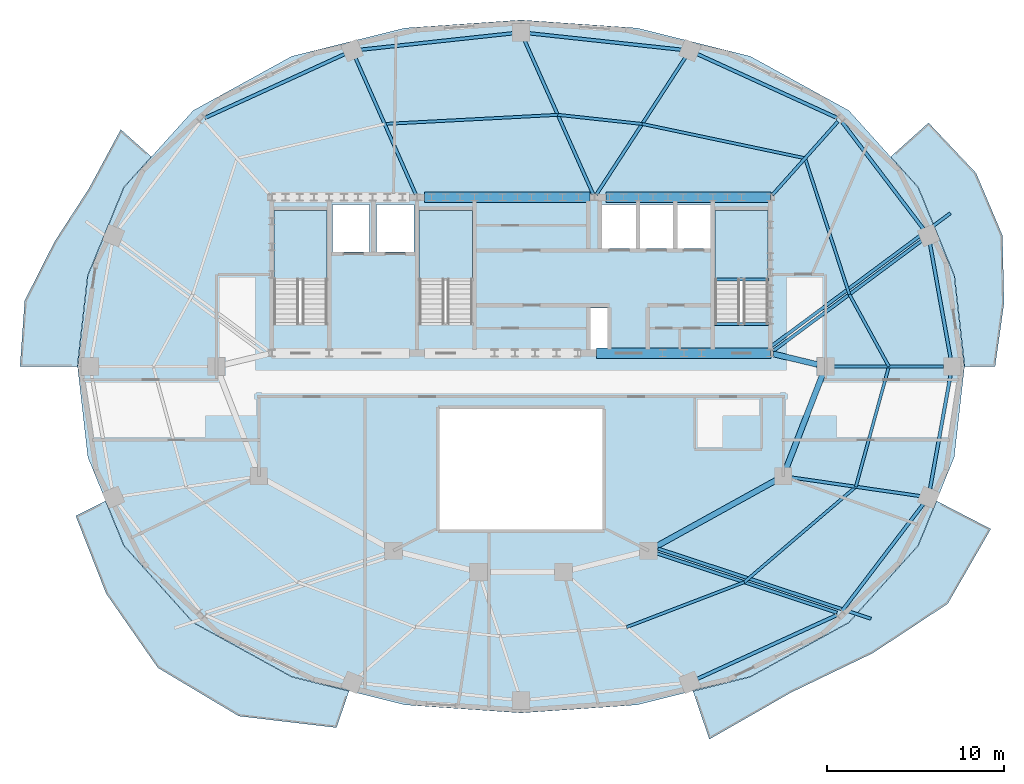
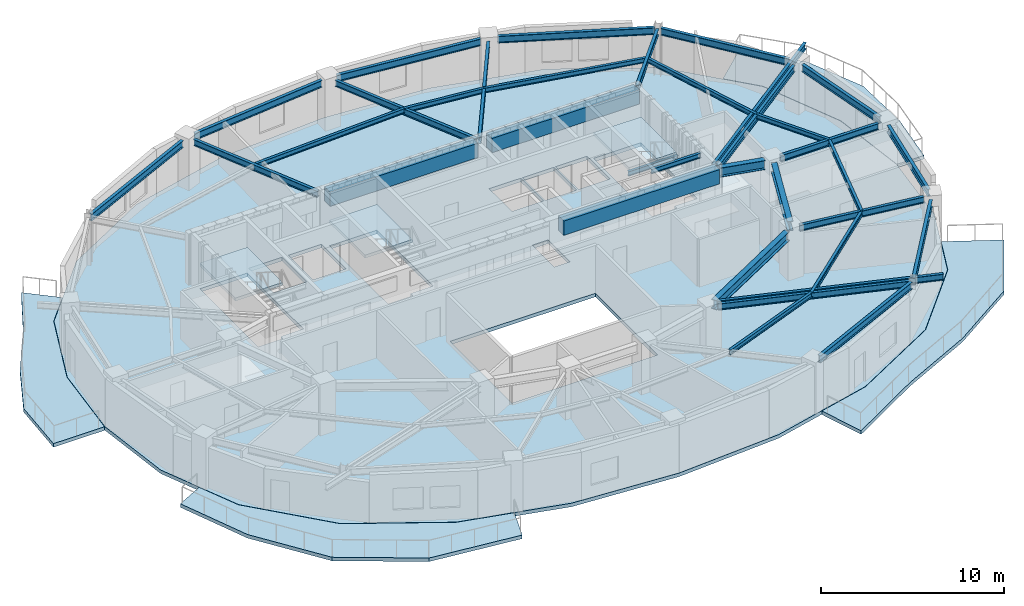
# One storey, part 2 of 10: 35 beams, 8 slabs, 3 elements without a shape of their own.
"""IFC4 building model written with IfcOpenShell, lengths in metres."""

from ifc_helpers import new_model, si_unit, direction, frame, origin, origin_2d, place, context, subcontext, project, spatial, polyline, rectangle, i_section, outline, extrude, material, layer, layer_set, material_profile, profile_set, type_object, element, aggregate, save


model = new_model("IFC4")

# Units and contexts
model_context = context("Model", 3, precision=1e-05, world=origin(), true_north=direction((0.0, 1.0)))
body_context = subcontext(model_context, "Body", "Model", "MODEL_VIEW")
ifc_project = project(units=[si_unit("LENGTHUNIT", "METRE"), si_unit("AREAUNIT", "SQUARE_METRE"), si_unit("VOLUMEUNIT", "CUBIC_METRE"), si_unit("PLANEANGLEUNIT", "RADIAN"), si_unit("MASSUNIT", "GRAM", prefix="KILO")], contexts=[model_context])

# Site, building, storey
site_placement = place(None, origin())
site = spatial("IfcSite", under=ifc_project, at=site_placement, CompositionType="ELEMENT")
building_placement = place(site_placement, origin())
building = spatial("IfcBuilding", under=site, at=building_placement, Name="Haldorwick Loom Tower", CompositionType="ELEMENT")
storey_placement = place(building_placement, frame((0.0, 0.0, 255.75)))
storey = spatial("IfcBuildingStorey", under=building, at=storey_placement, Name="L69", CompositionType="ELEMENT", Elevation=255.75)

# Beams
ifc_material_1 = material(Name="Steel CSA G40.21 350W", Category="steel")
ifc_material_profile_1 = material_profile(ifc_material_1, i_section(OverallWidth=0.179931640625, OverallDepth=0.4130859375, WebThickness=0.009765625, FlangeThickness=0.01611328125, at=origin_2d()), Name="W410X74", Category="steel")
ifc_profile_set_1 = profile_set([ifc_material_profile_1], Name="Steel CSA G40.21 350W")
beam_type_1 = type_object("IfcBeamType", Name="STR-BM-BAL410", PredefinedType="BEAM", material=ifc_profile_set_1)
beam_1_placement = place(storey_placement, frame((43.73876953125, 15.71728515625, 3.00341796875), z_axis=(0.949823383564, -0.312786732512, 0.0), x_axis=(0.312786732512, 0.949823383564, 0.0)))
element("IfcBeam", 1, at=beam_1_placement, inside=storey, type_object=beam_type_1, Name="L69 Continuous Back-Spanned Balcony Beam 1", PredefinedType="BEAM", context=body_context, shape_type="SweptSolid", body=[
    extrude(i_section(OverallWidth=0.179931640625, OverallDepth=0.4130859375, WebThickness=0.009765625, FlangeThickness=0.01611328125, at=origin_2d()), origin(), (0.0, 0.0, 1.0), 12.65087890625),
])
beam_2_placement = place(storey_placement, frame((50.0458984375, 27.080810546875, 3.00341796875), z_axis=(0.802800628814, 0.596247557962, 0.0), x_axis=(-0.596247557962, 0.802800628814, 0.0)))
element("IfcBeam", 2, at=beam_2_placement, inside=storey, type_object=beam_type_1, Name="L69 Continuous Back-Spanned Balcony Beam 4", PredefinedType="BEAM", context=body_context, shape_type="SweptSolid", body=[
    extrude(i_section(OverallWidth=0.179931640625, OverallDepth=0.4130859375, WebThickness=0.009765625, FlangeThickness=0.01611328125, at=origin_2d()), origin(), (0.0, 0.0, 1.0), 12.701416015625),
])
ifc_material_2 = material(Name="Concrete C50 (50 MPa)", Category="concrete")
ifc_material_profile_2 = material_profile(ifc_material_2, rectangle(XDim=0.60009765625, YDim=0.949951171875, at=origin_2d()), Name="RC600X950", Category="concrete")
ifc_profile_set_2 = profile_set([ifc_material_profile_2], Name="Concrete C50 (50 MPa)")
beam_type_2 = type_object("IfcBeamType", Name="STR-BM-CB950", PredefinedType="LINTEL", material=ifc_profile_set_2)
beam_3_placement = place(storey_placement, frame((30.550048828125, 35.550048828125, 2.735107421875), z_axis=(1.0, 0.0, 0.0), x_axis=(0.0, 1.0, 0.0)))
element("IfcBeam", 3, at=beam_3_placement, inside=storey, type_object=beam_type_2, Name="L69 Core Coupling Beam CB-N2", PredefinedType="LINTEL", context=body_context, shape_type="SweptSolid", body=[
    extrude(rectangle(XDim=0.60009765625, YDim=0.949951171875, at=origin_2d()), origin(), (0.0, 0.0, 1.0), 9.349853515625),
])
beam_4_placement = place(storey_placement, frame((40.800048828125, 35.550048828125, 2.735107421875), z_axis=(1.0, 0.0, 0.0), x_axis=(0.0, 1.0, 0.0)))
element("IfcBeam", 4, at=beam_4_placement, inside=storey, type_object=beam_type_2, Name="L69 Core Coupling Beam CB-N3", PredefinedType="LINTEL", context=body_context, shape_type="SweptSolid", body=[
    extrude(rectangle(XDim=0.60009765625, YDim=0.949951171875, at=origin_2d()), origin(), (0.0, 0.0, 1.0), 9.300048828125),
])
beam_5_placement = place(storey_placement, frame((40.25, 26.75, 2.735107421875), z_axis=(1.0, 0.0, 0.0), x_axis=(0.0, 1.0, 0.0)))
element("IfcBeam", 5, at=beam_5_placement, inside=storey, type_object=beam_type_2, Name="L69 Core Coupling Beam CB-S3", PredefinedType="LINTEL", context=body_context, shape_type="SweptSolid", body=[
    extrude(rectangle(XDim=0.60009765625, YDim=0.949951171875, at=origin_2d()), origin(), (0.0, 0.0, 1.0), 9.85009765625),
])
ifc_material_profile_3 = material_profile(ifc_material_1, i_section(OverallWidth=0.166015625, OverallDepth=0.31298828125, WebThickness=0.006591796875, FlangeThickness=0.01123046875, at=origin_2d()), Name="W310X45", Category="steel")
ifc_profile_set_3 = profile_set([ifc_material_profile_3], Name="Steel CSA G40.21 350W")
beam_type_3 = type_object("IfcBeamType", Name="STR-BM-J310", PredefinedType="JOIST", material=ifc_profile_set_3)
beam_6_placement = place(storey_placement, frame((56.768310546875, 26.0, 3.053466796875), z_axis=(-0.480863931781, 0.876795232145, 0.0), x_axis=(-0.876795232145, -0.480863931781, 0.0)))
element("IfcBeam", 6, at=beam_6_placement, inside=storey, type_object=beam_type_3, Name="L69 Mid-Bay Secondary Joist 1", PredefinedType="JOIST", context=body_context, shape_type="SweptSolid", body=[
    extrude(i_section(OverallWidth=0.166015625, OverallDepth=0.31298828125, WebThickness=0.006591796875, FlangeThickness=0.01123046875, at=origin_2d()), origin(), (0.0, 0.0, 1.0), 4.639404296875),
])
beam_7_placement = place(storey_placement, frame((54.537353515625, 30.06787109375, 3.053466796875), z_axis=(-0.309277990337, 0.95097167397, 0.0), x_axis=(-0.95097167397, -0.309277990337, 0.0)))
element("IfcBeam", 7, at=beam_7_placement, inside=storey, type_object=beam_type_3, Name="L69 Mid-Bay Secondary Joist 2", PredefinedType="JOIST", context=body_context, shape_type="SweptSolid", body=[
    extrude(i_section(OverallWidth=0.166015625, OverallDepth=0.31298828125, WebThickness=0.006591796875, FlangeThickness=0.01123046875, at=origin_2d()), origin(), (0.0, 0.0, 1.0), 8.08251953125),
])
beam_8_placement = place(storey_placement, frame((52.03759765625, 37.754150390625, 3.053466796875), z_axis=(-0.978553918403, 0.205990846344, 0.0), x_axis=(-0.205990846344, -0.978553918403, 0.0)))
element("IfcBeam", 8, at=beam_8_placement, inside=storey, type_object=beam_type_3, Name="L69 Mid-Bay Secondary Joist 3", PredefinedType="JOIST", context=body_context, shape_type="SweptSolid", body=[
    extrude(i_section(OverallWidth=0.166015625, OverallDepth=0.31298828125, WebThickness=0.006591796875, FlangeThickness=0.01123046875, at=origin_2d()), origin(), (0.0, 0.0, 1.0), 9.39990234375),
])
beam_9_placement = place(storey_placement, frame((42.83935546875, 39.6904296875, 3.053466796875), z_axis=(-0.994216460534, 0.10739473732, 0.0), x_axis=(-0.10739473732, -0.994216460534, 0.0)))
element("IfcBeam", 9, at=beam_9_placement, inside=storey, type_object=beam_type_3, Name="L69 Mid-Bay Secondary Joist 4", PredefinedType="JOIST", context=body_context, shape_type="SweptSolid", body=[
    extrude(i_section(OverallWidth=0.166015625, OverallDepth=0.31298828125, WebThickness=0.006591796875, FlangeThickness=0.01123046875, at=origin_2d()), origin(), (0.0, 0.0, 1.0), 4.792236328125),
])
beam_10_placement = place(storey_placement, frame((38.074951171875, 40.205078125, 3.053466796875), z_axis=(-0.998616726661, -0.052579779693, 0.0), x_axis=(0.052579779693, -0.998616726661, 0.0)))
element("IfcBeam", 10, at=beam_10_placement, inside=storey, type_object=beam_type_3, Name="L69 Mid-Bay Secondary Joist 5", PredefinedType="JOIST", context=body_context, shape_type="SweptSolid", body=[
    extrude(i_section(OverallWidth=0.166015625, OverallDepth=0.31298828125, WebThickness=0.006591796875, FlangeThickness=0.01123046875, at=origin_2d()), origin(), (0.0, 0.0, 1.0), 9.787841796875),
])
beam_11_placement = place(storey_placement, frame((41.96435546875, 11.284423828125, 3.053466796875), z_axis=(0.934134056558, 0.356922350628, 0.0), x_axis=(-0.356922350628, 0.934134056558, 0.0)))
element("IfcBeam", 11, at=beam_11_placement, inside=storey, type_object=beam_type_3, Name="L69 Mid-Bay Secondary Joist 14", PredefinedType="JOIST", context=body_context, shape_type="SweptSolid", body=[
    extrude(i_section(OverallWidth=0.166015625, OverallDepth=0.31298828125, WebThickness=0.006591796875, FlangeThickness=0.01123046875, at=origin_2d()), origin(), (0.0, 0.0, 1.0), 7.106201171875),
])
beam_12_placement = place(storey_placement, frame((48.6025390625, 13.82080078125, 3.053466796875), z_axis=(0.760066902561, 0.649844830426, 0.0), x_axis=(-0.649844830426, 0.760066902561, 0.0)))
element("IfcBeam", 12, at=beam_12_placement, inside=storey, type_object=beam_type_3, Name="L69 Mid-Bay Secondary Joist 15", PredefinedType="JOIST", context=body_context, shape_type="SweptSolid", body=[
    extrude(i_section(OverallWidth=0.166015625, OverallDepth=0.31298828125, WebThickness=0.006591796875, FlangeThickness=0.01123046875, at=origin_2d()), origin(), (0.0, 0.0, 1.0), 8.28857421875),
])
beam_13_placement = place(storey_placement, frame((54.90234375, 19.20703125, 3.053466796875), z_axis=(0.264879381431, 0.964281552915, 0.0), x_axis=(-0.964281552915, 0.264879381431, 0.0)))
element("IfcBeam", 13, at=beam_13_placement, inside=storey, type_object=beam_type_3, Name="L69 Mid-Bay Secondary Joist 16", PredefinedType="JOIST", context=body_context, shape_type="SweptSolid", body=[
    extrude(i_section(OverallWidth=0.166015625, OverallDepth=0.31298828125, WebThickness=0.006591796875, FlangeThickness=0.01123046875, at=origin_2d()), origin(), (0.0, 0.0, 1.0), 7.044677734375),
])
ifc_material_profile_4 = material_profile(ifc_material_1, i_section(OverallWidth=0.179931640625, OverallDepth=0.4130859375, WebThickness=0.009765625, FlangeThickness=0.01611328125, at=origin_2d()), Name="W410X74", Category="steel")
ifc_profile_set_4 = profile_set([ifc_material_profile_4], Name="Steel CSA G40.21 350W")
beam_type_4 = type_object("IfcBeamType", Name="STR-BM-J410", PredefinedType="JOIST", material=ifc_profile_set_4)
beam_14_placement = place(storey_placement, frame((53.675048828125, 26.0, 3.00341796875), z_axis=(1.0, 0.0, 0.0), x_axis=(0.0, 1.0, 0.0)))
element("IfcBeam", 14, at=beam_14_placement, inside=storey, type_object=beam_type_4, Name="L69 Radial Floor Girder 1", PredefinedType="JOIST", context=body_context, shape_type="SweptSolid", body=[
    extrude(i_section(OverallWidth=0.179931640625, OverallDepth=0.4130859375, WebThickness=0.009765625, FlangeThickness=0.01611328125, at=origin_2d()), origin(), (0.0, 0.0, 1.0), 6.186767578125),
])
beam_15_placement = place(storey_placement, frame((50.212890625, 26.856201171875, 3.00341796875), z_axis=(0.802807271117, 0.596238614518, 0.0), x_axis=(-0.596238614518, 0.802807271117, 0.0)))
element("IfcBeam", 15, at=beam_15_placement, inside=storey, type_object=beam_type_4, Name="L69 Radial Floor Girder 2", PredefinedType="JOIST", context=body_context, shape_type="SweptSolid", body=[
    extrude(i_section(OverallWidth=0.179931640625, OverallDepth=0.4130859375, WebThickness=0.009765625, FlangeThickness=0.01611328125, at=origin_2d()), origin(), (0.0, 0.0, 1.0), 10.476318359375),
])
beam_16_placement = place(storey_placement, frame((50.1884765625, 35.682861328125, 3.00341796875), z_axis=(0.665966842703, 0.745981343212, 0.0), x_axis=(-0.745981343212, 0.665966842703, 0.0)))
element("IfcBeam", 16, at=beam_16_placement, inside=storey, type_object=beam_type_4, Name="L69 Radial Floor Girder 3", PredefinedType="JOIST", context=body_context, shape_type="SweptSolid", body=[
    extrude(i_section(OverallWidth=0.179931640625, OverallDepth=0.4130859375, WebThickness=0.009765625, FlangeThickness=0.01611328125, at=origin_2d()), origin(), (0.0, 0.0, 1.0), 5.55322265625),
])
beam_17_placement = place(storey_placement, frame((40.2470703125, 35.69921875, 3.00341796875), z_axis=(0.544701697466, 0.838629871145, 0.0), x_axis=(-0.838629871145, 0.544701697466, 0.0)))
element("IfcBeam", 17, at=beam_17_placement, inside=storey, type_object=beam_type_4, Name="L69 Radial Floor Girder 4", PredefinedType="JOIST", context=body_context, shape_type="SweptSolid", body=[
    extrude(i_section(OverallWidth=0.179931640625, OverallDepth=0.4130859375, WebThickness=0.009765625, FlangeThickness=0.01611328125, at=origin_2d()), origin(), (0.0, 0.0, 1.0), 9.221435546875),
])
beam_18_placement = place(storey_placement, frame((40.077392578125, 35.712646484375, 3.00341796875), z_axis=(-0.407128364689, 0.913370951293, 0.0), x_axis=(-0.913370951293, -0.407128364689, 0.0)))
element("IfcBeam", 18, at=beam_18_placement, inside=storey, type_object=beam_type_4, Name="L69 Radial Floor Girder 5", PredefinedType="JOIST", context=body_context, shape_type="SweptSolid", body=[
    extrude(i_section(OverallWidth=0.179931640625, OverallDepth=0.4130859375, WebThickness=0.009765625, FlangeThickness=0.01611328125, at=origin_2d()), origin(), (0.0, 0.0, 1.0), 9.5400390625),
])
beam_19_placement = place(storey_placement, frame((30.05810546875, 35.712890625, 3.00341796875), z_axis=(-0.404158193408, 0.914689102756, 0.0), x_axis=(-0.914689102756, -0.404158193408, 0.0)))
element("IfcBeam", 19, at=beam_19_placement, inside=storey, type_object=beam_type_4, Name="L69 Radial Floor Girder 6", PredefinedType="JOIST", context=body_context, shape_type="SweptSolid", body=[
    extrude(i_section(OverallWidth=0.179931640625, OverallDepth=0.4130859375, WebThickness=0.009765625, FlangeThickness=0.01611328125, at=origin_2d()), origin(), (0.0, 0.0, 1.0), 8.400146484375),
])
beam_20_placement = place(storey_placement, frame((43.651123046875, 15.451416015625, 3.00341796875), z_axis=(0.94982454623, -0.312783201882, 0.0), x_axis=(0.312783201882, 0.94982454623, 0.0)))
element("IfcBeam", 20, at=beam_20_placement, inside=storey, type_object=beam_type_4, Name="L69 Radial Floor Girder 15", PredefinedType="JOIST", context=body_context, shape_type="SweptSolid", body=[
    extrude(i_section(OverallWidth=0.179931640625, OverallDepth=0.4130859375, WebThickness=0.009765625, FlangeThickness=0.01611328125, at=origin_2d()), origin(), (0.0, 0.0, 1.0), 10.72314453125),
])
beam_21_placement = place(storey_placement, frame((51.27001953125, 19.732177734375, 3.00341796875), z_axis=(0.989713971376, -0.143060318968, 0.0), x_axis=(0.143060318968, 0.989713971376, 0.0)))
element("IfcBeam", 21, at=beam_21_placement, inside=storey, type_object=beam_type_4, Name="L69 Radial Floor Girder 16", PredefinedType="JOIST", context=body_context, shape_type="SweptSolid", body=[
    extrude(i_section(OverallWidth=0.179931640625, OverallDepth=0.4130859375, WebThickness=0.009765625, FlangeThickness=0.01611328125, at=origin_2d()), origin(), (0.0, 0.0, 1.0), 7.33984375),
])
ifc_material_profile_5 = material_profile(ifc_material_1, i_section(OverallWidth=0.193115234375, OverallDepth=0.466064453125, WebThickness=0.011474609375, FlangeThickness=0.01904296875, at=origin_2d()), Name="W460X97", Category="steel")
ifc_profile_set_5 = profile_set([ifc_material_profile_5], Name="Steel CSA G40.21 350W")
beam_type_5 = type_object("IfcBeamType", Name="STR-BM-SP460", PredefinedType="SPANDREL", material=ifc_profile_set_5)
beam_22_placement = place(storey_placement, frame((60.25244140625, 26.467529296875, 2.97705078125), z_axis=(-0.177515201984, 0.984118058499, 0.0), x_axis=(-0.984118058499, -0.177515201984, 0.0)))
element("IfcBeam", 22, at=beam_22_placement, inside=storey, type_object=beam_type_5, Name="L69 Perimeter Spandrel 1", PredefinedType="SPANDREL", context=body_context, shape_type="SweptSolid", body=[
    extrude(i_section(OverallWidth=0.193115234375, OverallDepth=0.466064453125, WebThickness=0.011474609375, FlangeThickness=0.01904296875, at=origin_2d()), origin(), (0.0, 0.0, 1.0), 6.5546875),
])
beam_23_placement = place(storey_placement, frame((58.717041015625, 33.763916015625, 2.97705078125), z_axis=(-0.605410439126, 0.795913437629, 0.0), x_axis=(-0.795913437629, -0.605410439126, 0.0)))
element("IfcBeam", 23, at=beam_23_placement, inside=storey, type_object=beam_type_5, Name="L69 Perimeter Spandrel 2", PredefinedType="SPANDREL", context=body_context, shape_type="SweptSolid", body=[
    extrude(i_section(OverallWidth=0.193115234375, OverallDepth=0.466064453125, WebThickness=0.011474609375, FlangeThickness=0.01904296875, at=origin_2d()), origin(), (0.0, 0.0, 1.0), 7.604736328125),
])
beam_24_placement = place(storey_placement, frame((53.84326171875, 40.0322265625, 2.97705078125), z_axis=(-0.909567887863, 0.415555360172, 0.0), x_axis=(-0.415555360172, -0.909567887863, 0.0)))
element("IfcBeam", 24, at=beam_24_placement, inside=storey, type_object=beam_type_5, Name="L69 Perimeter Spandrel 3", PredefinedType="SPANDREL", context=body_context, shape_type="SweptSolid", body=[
    extrude(i_section(OverallWidth=0.193115234375, OverallDepth=0.466064453125, WebThickness=0.011474609375, FlangeThickness=0.01904296875, at=origin_2d()), origin(), (0.0, 0.0, 1.0), 8.666259765625),
])
for number, where, z_axis, x_axis, name in (
    (25, (45.056396484375, 43.8818359375, 2.97705078125), (-0.994216353781, 0.107395725588, 0.0), (-0.107395725588, -0.994216353781, 0.0), "L69 Perimeter Spandrel 4"),
    (26, (35.527587890625, 44.80908203125, 2.97705078125), (-0.994216353781, -0.107395725588, 0.0), (0.107395725588, -0.994216353781, 0.0), "L69 Perimeter Spandrel 5"),
):
    element("IfcBeam", number, at=place(storey_placement, frame(where, z_axis=z_axis, x_axis=x_axis)), inside=storey, type_object=beam_type_5, Name=name, PredefinedType="SPANDREL", context=body_context, shape_type="SweptSolid", body=[
        extrude(i_section(OverallWidth=0.193115234375, OverallDepth=0.466064453125, WebThickness=0.011474609375, FlangeThickness=0.01904296875, at=origin_2d()), origin(), (0.0, 0.0, 1.0), 8.634033203125),
    ])
for number, where, z_axis, x_axis, name in (
    (27, (26.039306640625, 43.633544921875, 2.97705078125), (-0.909567887863, -0.415555360172, 0.0), (0.415555360172, -0.909567887863, 0.0), "L69 Perimeter Spandrel 6"),
    (28, (45.960693359375, 8.366455078125, 2.97705078125), (0.909567887863, 0.415555360172, 0.0), (-0.415555360172, 0.909567887863, 0.0), "L69 Perimeter Spandrel 14"),
):
    element("IfcBeam", number, at=place(storey_placement, frame(where, z_axis=z_axis, x_axis=x_axis)), inside=storey, type_object=beam_type_5, Name=name, PredefinedType="SPANDREL", context=body_context, shape_type="SweptSolid", body=[
        extrude(i_section(OverallWidth=0.193115234375, OverallDepth=0.466064453125, WebThickness=0.011474609375, FlangeThickness=0.01904296875, at=origin_2d()), origin(), (0.0, 0.0, 1.0), 8.666259765625),
    ])
beam_25_placement = place(storey_placement, frame((54.113037109375, 12.183349609375, 2.97705078125), z_axis=(0.605410439126, 0.795913437629, 0.0), x_axis=(-0.795913437629, 0.605410439126, 0.0)))
element("IfcBeam", 29, at=beam_25_placement, inside=storey, type_object=beam_type_5, Name="L69 Perimeter Spandrel 15", PredefinedType="SPANDREL", context=body_context, shape_type="SweptSolid", body=[
    extrude(i_section(OverallWidth=0.193115234375, OverallDepth=0.466064453125, WebThickness=0.011474609375, FlangeThickness=0.01904296875, at=origin_2d()), origin(), (0.0, 0.0, 1.0), 7.604736328125),
])
beam_26_placement = place(storey_placement, frame((59.0888671875, 19.081787109375, 2.97705078125), z_axis=(0.177515201984, 0.984118058499, 0.0), x_axis=(-0.984118058499, 0.177515201984, 0.0)))
element("IfcBeam", 30, at=beam_26_placement, inside=storey, type_object=beam_type_5, Name="L69 Perimeter Spandrel 16", PredefinedType="SPANDREL", context=body_context, shape_type="SweptSolid", body=[
    extrude(i_section(OverallWidth=0.193115234375, OverallDepth=0.466064453125, WebThickness=0.011474609375, FlangeThickness=0.01904296875, at=origin_2d()), origin(), (0.0, 0.0, 1.0), 6.5546875),
])
ifc_material_profile_6 = material_profile(ifc_material_1, i_section(OverallWidth=0.166015625, OverallDepth=0.31298828125, WebThickness=0.006591796875, FlangeThickness=0.01123046875, at=origin_2d()), Name="W310X45", Category="steel")
ifc_profile_set_6 = profile_set([ifc_material_profile_6], Name="Steel CSA G40.21 350W")
beam_type_6 = type_object("IfcBeamType", Name="STR-BM-STRM", PredefinedType="BEAM", material=ifc_profile_set_6)
for number, where, z_axis, x_axis, name in (
    (31, (46.889892578125, 28.39990234375, 3.053466796875), (1.0, 0.0, 0.0), (0.0, 1.0, 0.0), "L69 Stair ST-02 Landing Edge Trimmer"),
    (32, (46.889892578125, 30.919921875, 1.368408203125), (1.0, 0.0, 0.0), (0.0, 1.0, 0.0), "L69 Stair ST-02 Half-Landing Trimmer 1"),
):
    element("IfcBeam", number, at=place(storey_placement, frame(where, z_axis=z_axis, x_axis=x_axis)), inside=storey, type_object=beam_type_6, Name=name, PredefinedType="BEAM", context=body_context, shape_type="SweptSolid", body=[
        extrude(i_section(OverallWidth=0.166015625, OverallDepth=0.31298828125, WebThickness=0.006591796875, FlangeThickness=0.01123046875, at=origin_2d()), origin(), (0.0, 0.0, 1.0), 3.1201171875),
    ])
ifc_material_profile_7 = material_profile(ifc_material_1, i_section(OverallWidth=0.324951171875, OverallDepth=0.615966796875, WebThickness=0.013916015625, FlangeThickness=0.021484375, at=origin_2d()), Name="W610X174", Category="steel")
ifc_profile_set_7 = profile_set([ifc_material_profile_7], Name="Steel CSA G40.21 350W")
beam_type_7 = type_object("IfcBeamType", Name="STR-BM-W610A", PredefinedType="BEAM", material=ifc_profile_set_7)
beam_27_placement = place(storey_placement, frame((50.2431640625, 26.70849609375, 2.902099609375), z_axis=(0.972464127734, -0.233052612665, 0.0), x_axis=(0.233052612665, 0.972464127734, 0.0)))
element("IfcBeam", 33, at=beam_27_placement, inside=storey, type_object=beam_type_7, Name="L69 Inner Ring Girder 1", PredefinedType="BEAM", context=body_context, shape_type="SweptSolid", body=[
    extrude(i_section(OverallWidth=0.324951171875, OverallDepth=0.615966796875, WebThickness=0.013916015625, FlangeThickness=0.021484375, at=origin_2d()), origin(), (0.0, 0.0, 1.0), 2.5654296875),
])
beam_28_placement = place(storey_placement, frame((53.028564453125, 25.556884765625, 2.902099609375), z_axis=(-0.36101093026, -0.93256158415, 0.0), x_axis=(0.93256158415, -0.36101093026, 0.0)))
element("IfcBeam", 34, at=beam_28_placement, inside=storey, type_object=beam_type_7, Name="L69 Inner Ring Girder 2", PredefinedType="BEAM", context=body_context, shape_type="SweptSolid", body=[
    extrude(i_section(OverallWidth=0.324951171875, OverallDepth=0.615966796875, WebThickness=0.013916015625, FlangeThickness=0.021484375, at=origin_2d()), origin(), (0.0, 0.0, 1.0), 5.6982421875),
])
beam_29_placement = place(storey_placement, frame((50.38427734375, 19.5703125, 2.902099609375), z_axis=(-0.875243645673, -0.483682293152, 0.0), x_axis=(0.483682293152, -0.875243645673, 0.0)))
element("IfcBeam", 35, at=beam_29_placement, inside=storey, type_object=beam_type_7, Name="L69 Inner Ring Girder 3", PredefinedType="BEAM", context=body_context, shape_type="SweptSolid", body=[
    extrude(i_section(OverallWidth=0.324951171875, OverallDepth=0.615966796875, WebThickness=0.013916015625, FlangeThickness=0.021484375, at=origin_2d()), origin(), (0.0, 0.0, 1.0), 7.7333984375),
])

# Slabs
ifc_material_3 = material(Name="Concrete C40 (40 MPa)", Category="concrete")
ifc_layer_1 = layer(ifc_material_3, 0.239990234375, Name="Concrete C40 (40 MPa)", Category="concrete")
ifc_layer_set_1 = layer_set([ifc_layer_1], Name="Concrete C40 (40 MPa)")
slab_type_1 = type_object("IfcSlabType", Name="STR-SLB-BAL240", PredefinedType="FLOOR", material=ifc_layer_set_1)
slab_1_placement = place(storey_placement, frame((0.0, 0.0, -0.239990234375)))
element("IfcSlab", 36, at=slab_1_placement, inside=storey, type_object=slab_type_1, Name="L69 Sinusoidal Balcony Terrace BAL_SE", PredefinedType="FLOOR", context=body_context, shape_type="SweptSolid", body=[
    extrude(outline(polyline([(59.45947265625, 18.40576171875), (58.427978515625, 15.88427734375), (58.427490234375, 15.883056640625), (58.4267578125, 15.882080078125), (58.426025390625, 15.881103515625), (58.42529296875, 15.8798828125), (54.51123046875, 11.53662109375), (54.51025390625, 11.535400390625), (54.5087890625, 11.534423828125), (54.50732421875, 11.53369140625), (48.947998046875, 8.475830078125), (48.947021484375, 8.475341796875), (48.94580078125, 8.474853515625), (48.9443359375, 8.474365234375), (45.717041015625, 7.668701171875), (46.62939453125, 4.94921875), (51.23779296875, 7.591064453125), (55.853759765625, 9.814208984375), (60.086669921875, 12.603271484375), (62.522705078125, 16.823974609375), (59.45947265625, 18.40576171875)])), origin(), (0.0, 0.0, 1.0), 0.239990234375),
])
slab_2_placement = place(storey_placement, frame((0.0, 0.0, -0.239990234375)))
element("IfcSlab", 37, at=slab_2_placement, inside=storey, type_object=slab_type_1, Name="L69 Sinusoidal Balcony Terrace BAL_SW", PredefinedType="FLOOR", context=body_context, shape_type="SweptSolid", body=[
    extrude(outline(polyline([(26.281982421875, 7.668701171875), (23.0556640625, 8.474365234375), (23.05419921875, 8.474853515625), (23.052978515625, 8.475341796875), (23.052001953125, 8.475830078125), (17.49267578125, 11.53369140625), (17.4912109375, 11.534423828125), (17.48974609375, 11.535400390625), (17.48876953125, 11.53662109375), (13.57470703125, 15.8798828125), (13.573974609375, 15.881103515625), (13.5732421875, 15.882080078125), (13.572509765625, 15.883056640625), (13.572021484375, 15.88427734375), (12.539794921875, 18.407470703125), (10.86181640625, 17.55810546875), (12.58056640625, 13.173828125), (15.4990234375, 8.985595703125), (20.06689453125, 6.259033203125), (25.58349609375, 5.607177734375), (26.281982421875, 7.668701171875)])), origin(), (0.0, 0.0, 1.0), 0.239990234375),
])
slab_3_placement = place(storey_placement, frame((0.0, 0.0, -0.239990234375)))
element("IfcSlab", 38, at=slab_3_placement, inside=storey, type_object=slab_type_1, Name="L69 Sinusoidal Balcony Terrace BAL_WNW", PredefinedType="FLOOR", context=body_context, shape_type="SweptSolid", body=[
    extrude(outline(polyline([(10.9482421875, 26.0), (10.9482421875, 26.001708984375), (11.529296875, 31.12109375), (11.529541015625, 31.12255859375), (11.530029296875, 31.123779296875), (11.530517578125, 31.125), (13.572021484375, 36.11572265625), (13.572509765625, 36.116943359375), (13.5732421875, 36.117919921875), (13.573974609375, 36.118896484375), (13.57470703125, 36.1201171875), (15.124267578125, 37.839599609375), (13.403564453125, 39.375732421875), (11.6181640625, 36.065673828125), (9.6611328125, 33.035400390625), (7.97998046875, 29.71875), (7.713134765625, 26.0), (10.9482421875, 26.0)])), origin(), (0.0, 0.0, 1.0), 0.239990234375),
])
slab_4_placement = place(storey_placement, frame((0.0, 0.0, -0.239990234375)))
element("IfcSlab", 39, at=slab_4_placement, inside=storey, type_object=slab_type_1, Name="L69 Sinusoidal Balcony Terrace BAL_ENE", PredefinedType="FLOOR", context=body_context, shape_type="SweptSolid", body=[
    extrude(outline(polyline([(56.875244140625, 37.840087890625), (58.42529296875, 36.1201171875), (58.426025390625, 36.118896484375), (58.4267578125, 36.117919921875), (58.427490234375, 36.116943359375), (58.427978515625, 36.11572265625), (60.469482421875, 31.125), (60.469970703125, 31.123779296875), (60.470458984375, 31.12255859375), (60.470703125, 31.12109375), (61.0517578125, 26.001708984375), (61.0517578125, 26.0), (62.76318359375, 26.0), (63.2666015625, 29.56591796875), (63.182373046875, 33.386474609375), (61.68701171875, 36.9169921875), (59.00537109375, 39.756103515625), (56.875244140625, 37.840087890625)])), origin(), (0.0, 0.0, 1.0), 0.239990234375),
])

# Stair, slab
stair_type = type_object("IfcStairType", Name="STR-STR-CORE", PredefinedType="HALF_TURN_STAIR", material=ifc_material_3)
stair_1_placement = place(storey_placement, origin())
stair_1 = element("IfcStair", 40, at=stair_1_placement, inside=storey, type_object=stair_type, Name="L69 Exit Stair ST-01", PredefinedType="HALF_TURN_STAIR")
ifc_layer_2 = layer(ifc_material_3, 0.199951171875, Name="Concrete C40 (40 MPa)", Category="concrete")
ifc_layer_set_2 = layer_set([ifc_layer_2], Name="Concrete C40 (40 MPa)")
slab_type_2 = type_object("IfcSlabType", Name="STR-SLB-LAND200", PredefinedType="LANDING", material=ifc_layer_set_2)
slab_5_placement = place(storey_placement, frame((0.0, 0.0, 1.52490234375)))
slab_5 = element("IfcSlab", 41, at=slab_5_placement, type_object=slab_type_2, Name="ST-01 landing 1", PredefinedType="LANDING", context=body_context, shape_type="SweptSolid", body=[
    extrude(outline(polyline([(25.050048828125, 30.919921875), (25.050048828125, 34.800048828125), (22.050048828125, 34.800048828125), (22.050048828125, 30.919921875), (25.050048828125, 30.919921875)])), origin(), (0.0, 0.0, 1.0), 0.2001953125),
])
aggregate(stair_1, [slab_5])

stair_2_placement = place(storey_placement, origin())
stair_2 = element("IfcStair", 42, at=stair_2_placement, inside=storey, type_object=stair_type, Name="L69 Exit Stair ST-02", PredefinedType="HALF_TURN_STAIR")
slab_6_placement = place(storey_placement, frame((0.0, 0.0, 1.52490234375)))
slab_6 = element("IfcSlab", 43, at=slab_6_placement, type_object=slab_type_2, Name="ST-02 landing 1", PredefinedType="LANDING", context=body_context, shape_type="SweptSolid", body=[
    extrude(outline(polyline([(49.949951171875, 30.919921875), (49.949951171875, 34.800048828125), (46.949951171875, 34.800048828125), (46.949951171875, 30.919921875), (49.949951171875, 30.919921875)])), origin(), (0.0, 0.0, 1.0), 0.2001953125),
])
aggregate(stair_2, [slab_6])

stair_3_placement = place(storey_placement, origin())
stair_3 = element("IfcStair", 44, at=stair_3_placement, inside=storey, type_object=stair_type, Name="L69 Exit Stair ST-03", PredefinedType="HALF_TURN_STAIR")
slab_7_placement = place(storey_placement, frame((0.0, 0.0, 1.52490234375)))
slab_7 = element("IfcSlab", 45, at=slab_7_placement, type_object=slab_type_2, Name="ST-03 landing 1", PredefinedType="LANDING", context=body_context, shape_type="SweptSolid", body=[
    extrude(outline(polyline([(33.25, 30.919921875), (33.25, 34.800048828125), (30.25, 34.800048828125), (30.25, 30.919921875), (33.25, 30.919921875)])), origin(), (0.0, 0.0, 1.0), 0.2001953125),
])
aggregate(stair_3, [slab_7])

# Slab
ifc_layer_3 = layer(ifc_material_3, 0.239990234375, Name="Concrete C40 (40 MPa)", Category="concrete")
ifc_layer_set_3 = layer_set([ifc_layer_3], Name="Concrete C40 (40 MPa)")
slab_type_3 = type_object("IfcSlabType", Name="STR-SLB-RES240", PredefinedType="FLOOR", material=ifc_layer_set_3)
slab_8_placement = place(storey_placement, frame((0.0, 0.0, -0.239990234375)))
element("IfcSlab", 46, at=slab_8_placement, inside=storey, type_object=slab_type_3, Name="L69 Residential Structural Floor Slab", PredefinedType="FLOOR", context=body_context, shape_type="SweptSolid", body=[
    extrude(outline(polyline([(54.500244140625, 11.546630859375), (58.4140625, 15.889892578125), (60.455810546875, 20.880615234375), (61.036865234375, 26.0), (60.455810546875, 31.119384765625), (58.4140625, 36.110107421875), (54.500244140625, 40.453369140625), (48.94091796875, 43.510986328125), (42.552978515625, 45.10595703125), (36.0, 45.56005859375), (29.447021484375, 45.10595703125), (23.05908203125, 43.510986328125), (17.499755859375, 40.453369140625), (13.5859375, 36.110107421875), (11.544189453125, 31.119384765625), (10.963134765625, 26.0), (11.544189453125, 20.880615234375), (13.5859375, 15.889892578125), (17.499755859375, 11.546630859375), (23.05908203125, 8.489013671875), (29.447021484375, 6.89404296875), (36.0, 6.43994140625), (42.552978515625, 6.89404296875), (48.94091796875, 8.489013671875), (54.500244140625, 11.546630859375)]), holes=[polyline([(31.39990234375, 16.800048828125), (31.39990234375, 23.60009765625), (40.60009765625, 23.60009765625), (40.60009765625, 16.800048828125), (31.39990234375, 16.800048828125)]), polyline([(40.89990234375, 26.89990234375), (39.89990234375, 26.89990234375), (39.89990234375, 29.300048828125), (40.89990234375, 29.300048828125), (40.89990234375, 26.89990234375)]), polyline([(23.6201171875, 28.39990234375), (22.050048828125, 28.39990234375), (22.050048828125, 34.800048828125), (25.050048828125, 34.800048828125), (25.050048828125, 28.639892578125), (23.6201171875, 28.639892578125), (23.6201171875, 28.39990234375)]), polyline([(30.25, 28.39990234375), (30.25, 34.800048828125), (33.25, 34.800048828125), (33.25, 28.639892578125), (31.820068359375, 28.639892578125), (31.820068359375, 28.39990234375), (30.25, 28.39990234375)]), polyline([(46.949951171875, 28.39990234375), (46.949951171875, 34.800048828125), (49.949951171875, 34.800048828125), (49.949951171875, 28.639892578125), (48.52001953125, 28.639892578125), (48.52001953125, 28.39990234375), (46.949951171875, 28.39990234375)]), polyline([(27.449951171875, 32.449951171875), (25.35009765625, 32.449951171875), (25.35009765625, 35.14990234375), (27.449951171875, 35.14990234375), (27.449951171875, 32.449951171875)]), polyline([(29.949951171875, 32.449951171875), (27.85009765625, 32.449951171875), (27.85009765625, 35.14990234375), (29.949951171875, 35.14990234375), (29.949951171875, 32.449951171875)]), polyline([(42.550048828125, 32.64990234375), (40.550048828125, 32.64990234375), (40.550048828125, 35.14990234375), (42.550048828125, 35.14990234375), (42.550048828125, 32.64990234375)]), polyline([(42.64990234375, 32.64990234375), (42.64990234375, 35.14990234375), (44.64990234375, 35.14990234375), (44.64990234375, 32.64990234375), (42.64990234375, 32.64990234375)]), polyline([(44.75, 32.64990234375), (44.75, 35.14990234375), (46.75, 35.14990234375), (46.75, 32.64990234375), (44.75, 32.64990234375)])]), origin(), (0.0, 0.0, 1.0), 0.239990234375),
])

save(model, "model.ifc")
